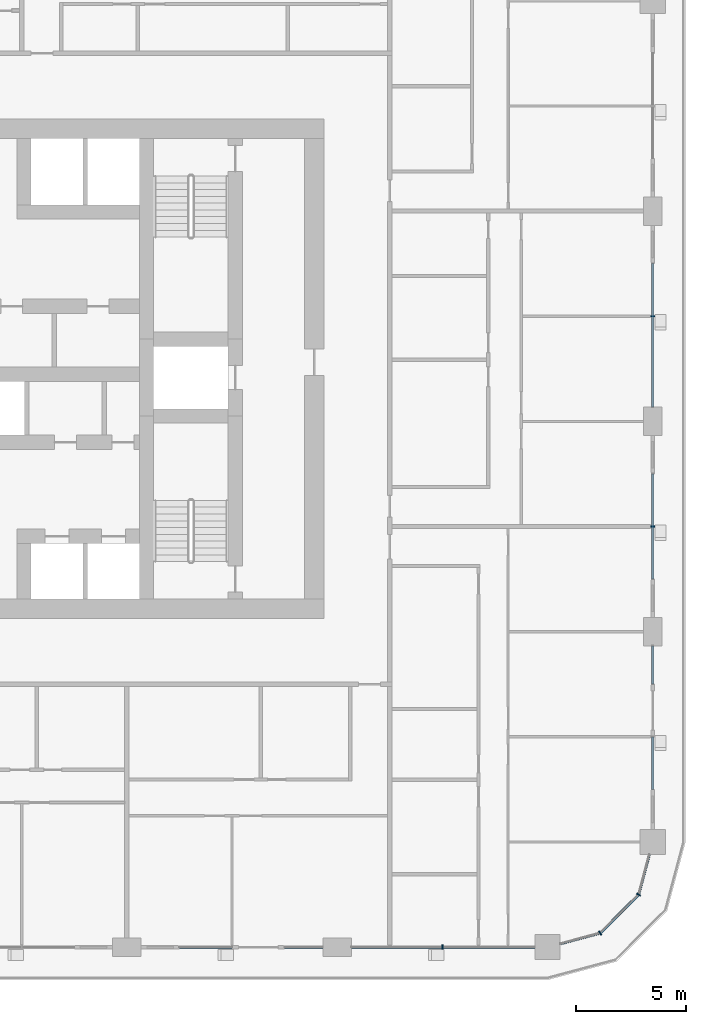
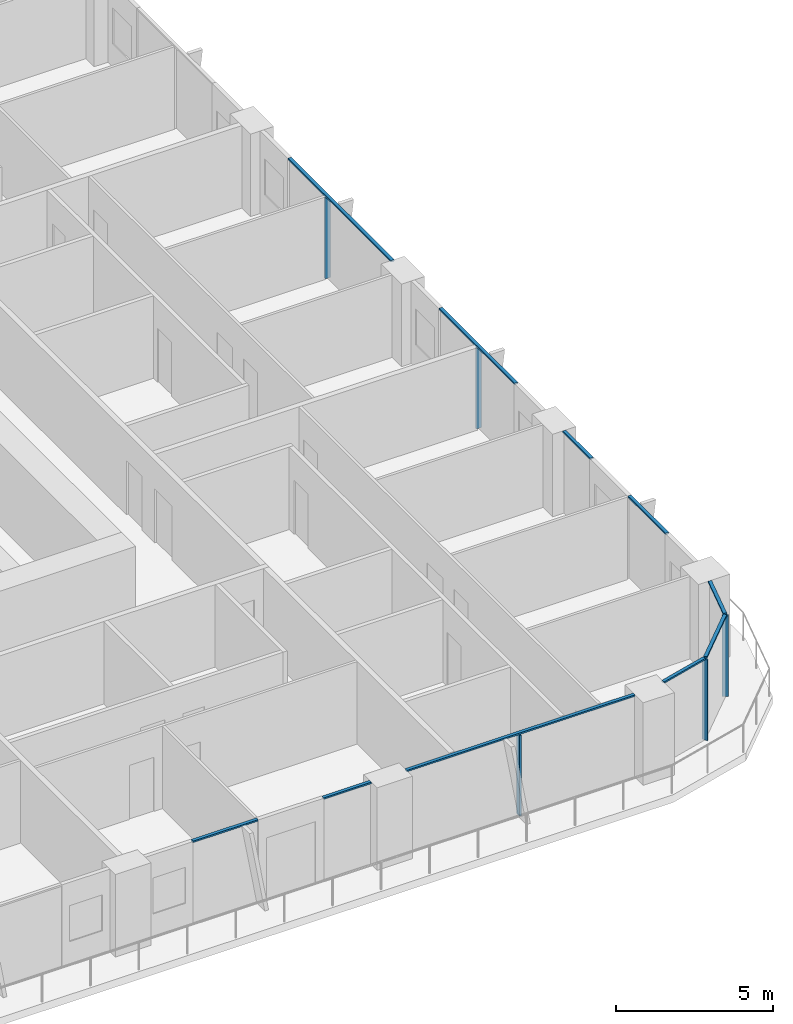
# One storey, part 4 of 22: 15 members, 6 elements without a shape of their own.
"""IFC4 building model written with IfcOpenShell, lengths in metres."""

from ifc_helpers import new_model, si_unit, direction, frame, origin, origin_2d, place, context, subcontext, project, spatial, rectangle, extrude, material, layer, layer_set, material_profile, profile_set, type_object, element, aggregate, save


model = new_model("IFC4")

# Units and contexts
model_context = context("Model", 3, precision=1e-05, world=origin(), true_north=direction((0.0, 1.0)))
body_context = subcontext(model_context, "Body", "Model", "MODEL_VIEW")
ifc_project = project(units=[si_unit("LENGTHUNIT", "METRE"), si_unit("AREAUNIT", "SQUARE_METRE"), si_unit("VOLUMEUNIT", "CUBIC_METRE"), si_unit("PLANEANGLEUNIT", "RADIAN"), si_unit("MASSUNIT", "GRAM", prefix="KILO")], contexts=[model_context])

# Site, building, storey
site_placement = place(None, origin())
site = spatial("IfcSite", under=ifc_project, at=site_placement, CompositionType="ELEMENT")
building_placement = place(site_placement, origin())
building = spatial("IfcBuilding", under=site, at=building_placement, Name="Madar Terraces", CompositionType="ELEMENT")
storey_placement = place(building_placement, frame((0.0, 0.0, 69.800048828125)))
storey = spatial("IfcBuildingStorey", under=building, at=storey_placement, Name="L17", CompositionType="ELEMENT", Elevation=69.800048828125)

# Curtain wall, member
ifc_material_1 = material(Name="Glass, ceramic frit dark grey, with black aluminium frame", Category="aluminium")
ifc_layer = layer(ifc_material_1, 0.199951171875)
ifc_layer_set = layer_set([ifc_layer], Name="Facade curtain wall, fritted glass")
curtain_wall_type = type_object("IfcCurtainWallType", Name="Facade curtain wall, fritted glass", PredefinedType="NOTDEFINED", material=ifc_layer_set)
curtain_wall_1_placement = place(storey_placement, origin())
curtain_wall_1 = element("IfcCurtainWall", 1, at=curtain_wall_1_placement, inside=storey, type_object=curtain_wall_type, Name="Outer skin curtain wall south bay 5", PredefinedType="NOTDEFINED")
ifc_material_2 = material(Name="Aluminium, black anodised", Category="aluminium")
ifc_material_profile_1 = material_profile(ifc_material_2, rectangle(XDim=0.199951171875, YDim=0.06005859375, at=origin_2d()), Name="Facade mullion 60x200")
ifc_profile_set_1 = profile_set([ifc_material_profile_1], Name="Aluminium, black anodised")
member_type_1 = type_object("IfcMemberType", Name="Facade mullion 60x200", PredefinedType="MULLION", material=ifc_profile_set_1)
member_1_placement = place(storey_placement, frame((52.800048828125, 0.0, 0.0), z_axis=(0.0, 0.0, 1.0), x_axis=(0.0, 1.0, 0.0)))
member_1 = element("IfcMember", 2, at=member_1_placement, type_object=member_type_1, Name="Mullion 1", PredefinedType="MULLION", context=body_context, shape_type="SweptSolid", body=[
    extrude(rectangle(XDim=0.199951171875, YDim=0.06005859375, at=origin_2d()), origin(), (0.0, 0.0, 1.0), 3.139892578125),
])

curtain_wall_2_placement = place(storey_placement, origin())
curtain_wall_2 = element("IfcCurtainWall", 3, at=curtain_wall_2_placement, inside=storey, type_object=curtain_wall_type, Name="Outer skin curtain wall east bay 2", PredefinedType="NOTDEFINED")
member_2_placement = place(storey_placement, frame((62.39990234375, 19.199951171875, 0.0), z_axis=(0.0, 0.0, 1.0), x_axis=(-1.0, 0.0, 0.0)))
member_2 = element("IfcMember", 4, at=member_2_placement, type_object=member_type_1, Name="Mullion 1", PredefinedType="MULLION", context=body_context, shape_type="SweptSolid", body=[
    extrude(rectangle(XDim=0.199951171875, YDim=0.06005859375, at=origin_2d()), origin(), (0.0, 0.0, 1.0), 3.139892578125),
])

curtain_wall_3_placement = place(storey_placement, origin())
curtain_wall_3 = element("IfcCurtainWall", 5, at=curtain_wall_3_placement, inside=storey, type_object=curtain_wall_type, Name="Outer skin curtain wall east bay 3", PredefinedType="NOTDEFINED")
member_3_placement = place(storey_placement, frame((62.39990234375, 28.800048828125, 0.0), z_axis=(0.0, 0.0, 1.0), x_axis=(-1.0, 0.0, 0.0)))
member_3 = element("IfcMember", 6, at=member_3_placement, type_object=member_type_1, Name="Mullion 1", PredefinedType="MULLION", context=body_context, shape_type="SweptSolid", body=[
    extrude(rectangle(XDim=0.199951171875, YDim=0.06005859375, at=origin_2d()), origin(), (0.0, 0.0, 1.0), 3.139892578125),
])

# Curtain wall, members
curtain_wall_4_placement = place(storey_placement, origin())
curtain_wall_4 = element("IfcCurtainWall", 7, at=curtain_wall_4_placement, inside=storey, type_object=curtain_wall_type, Name="Outer skin curtain wall south-east corner", PredefinedType="NOTDEFINED")
member_4_placement = place(storey_placement, frame((60.0, 0.64306640625, 0.0), z_axis=(0.0, 0.0, 1.0), x_axis=(-0.499999989586, 0.866025409797, 0.0)))
member_4 = element("IfcMember", 8, at=member_4_placement, type_object=member_type_1, Name="Mullion 1", PredefinedType="MULLION", context=body_context, shape_type="SweptSolid", body=[
    extrude(rectangle(XDim=0.199951171875, YDim=0.06005859375, at=origin_2d()), origin(), (0.0, 0.0, 1.0), 3.139892578125),
])
member_5_placement = place(storey_placement, frame((61.7568359375, 2.39990234375, 0.0), z_axis=(0.0, 0.0, 1.0), x_axis=(-0.866025409797, 0.499999989586, 0.0)))
member_5 = element("IfcMember", 9, at=member_5_placement, type_object=member_type_1, Name="Mullion 2", PredefinedType="MULLION", context=body_context, shape_type="SweptSolid", body=[
    extrude(rectangle(XDim=0.199951171875, YDim=0.06005859375, at=origin_2d()), origin(), (0.0, 0.0, 1.0), 3.139892578125),
])

curtain_wall_5_placement = place(storey_placement, origin())
curtain_wall_5 = element("IfcCurtainWall", 10, at=curtain_wall_5_placement, inside=storey, type_object=curtain_wall_type, Name="Outer skin curtain wall south bay 4", PredefinedType="NOTDEFINED")
ifc_material_3 = material(Name="Aluminium, black anodised", Category="aluminium")
ifc_material_profile_2 = material_profile(ifc_material_3, rectangle(XDim=0.1201171875, YDim=0.06005859375, at=origin_2d()), Name="Facade transom 60x120")
ifc_profile_set_2 = profile_set([ifc_material_profile_2], Name="Aluminium, black anodised")
member_type_2 = type_object("IfcMemberType", Name="Facade transom 60x120", PredefinedType="USERDEFINED", material=ifc_profile_set_2)
member_6_placement = place(storey_placement, frame((40.800048828125, 0.0, 3.169921875), z_axis=(1.0, 0.0, 0.0), x_axis=(0.0, 1.0, 0.0)))
member_6 = element("IfcMember", 11, at=member_6_placement, type_object=member_type_2, Name="Transom 1", ObjectType="TRANSOM", PredefinedType="USERDEFINED", context=body_context, shape_type="SweptSolid", body=[
    extrude(rectangle(XDim=0.1201171875, YDim=0.06005859375, at=origin_2d()), origin(), (0.0, 0.0, 1.0), 2.39990234375),
])
member_7_placement = place(storey_placement, frame((45.60009765625, 0.0, 3.169921875), z_axis=(1.0, 0.0, 0.0), x_axis=(0.0, 1.0, 0.0)))
member_7 = element("IfcMember", 12, at=member_7_placement, type_object=member_type_2, Name="Transom 2", ObjectType="TRANSOM", PredefinedType="USERDEFINED", context=body_context, shape_type="SweptSolid", body=[
    extrude(rectangle(XDim=0.1201171875, YDim=0.06005859375, at=origin_2d()), origin(), (0.0, 0.0, 1.0), 1.75),
])
aggregate(curtain_wall_5, [member_6, member_7])

# Member
member_8_placement = place(storey_placement, frame((48.64990234375, 0.0, 3.169921875), z_axis=(1.0, 0.0, 0.0), x_axis=(0.0, 1.0, 0.0)))
member_8 = element("IfcMember", 13, at=member_8_placement, type_object=member_type_2, Name="Transom 1", ObjectType="TRANSOM", PredefinedType="USERDEFINED", context=body_context, shape_type="SweptSolid", body=[
    extrude(rectangle(XDim=0.1201171875, YDim=0.06005859375, at=origin_2d()), origin(), (0.0, 0.0, 1.0), 8.375),
])

aggregate(curtain_wall_1, [member_1, member_8])

# Curtain wall, members
curtain_wall_6_placement = place(storey_placement, origin())
curtain_wall_6 = element("IfcCurtainWall", 14, at=curtain_wall_6_placement, inside=storey, type_object=curtain_wall_type, Name="Outer skin curtain wall east bay 1", PredefinedType="NOTDEFINED")
member_9_placement = place(storey_placement, frame((62.39990234375, 7.199951171875, 3.169921875), z_axis=(0.0, 1.0, 0.0), x_axis=(-1.0, 0.0, 0.0)))
member_9 = element("IfcMember", 15, at=member_9_placement, type_object=member_type_2, Name="Transom 1", ObjectType="TRANSOM", PredefinedType="USERDEFINED", context=body_context, shape_type="SweptSolid", body=[
    extrude(rectangle(XDim=0.1201171875, YDim=0.06005859375, at=origin_2d()), origin(), (0.0, 0.0, 1.0), 2.400146484375),
])
member_10_placement = place(storey_placement, frame((62.39990234375, 12.0, 3.169921875), z_axis=(0.0, 1.0, 0.0), x_axis=(-1.0, 0.0, 0.0)))
member_10 = element("IfcMember", 16, at=member_10_placement, type_object=member_type_2, Name="Transom 2", ObjectType="TRANSOM", PredefinedType="USERDEFINED", context=body_context, shape_type="SweptSolid", body=[
    extrude(rectangle(XDim=0.1201171875, YDim=0.06005859375, at=origin_2d()), origin(), (0.0, 0.0, 1.0), 1.75),
])
aggregate(curtain_wall_6, [member_9, member_10])

# Member
member_11_placement = place(storey_placement, frame((62.39990234375, 16.800048828125, 3.169921875), z_axis=(0.0, 1.0, 0.0), x_axis=(-1.0, 0.0, 0.0)))
member_11 = element("IfcMember", 17, at=member_11_placement, type_object=member_type_2, Name="Transom 1", ObjectType="TRANSOM", PredefinedType="USERDEFINED", context=body_context, shape_type="SweptSolid", body=[
    extrude(rectangle(XDim=0.1201171875, YDim=0.06005859375, at=origin_2d()), origin(), (0.0, 0.0, 1.0), 4.800048828125),
])

aggregate(curtain_wall_2, [member_2, member_11])

member_12_placement = place(storey_placement, frame((62.39990234375, 24.64990234375, 3.169921875), z_axis=(0.0, 1.0, 0.0), x_axis=(-1.0, 0.0, 0.0)))
member_12 = element("IfcMember", 18, at=member_12_placement, type_object=member_type_2, Name="Transom 1", ObjectType="TRANSOM", PredefinedType="USERDEFINED", context=body_context, shape_type="SweptSolid", body=[
    extrude(rectangle(XDim=0.1201171875, YDim=0.06005859375, at=origin_2d()), origin(), (0.0, 0.0, 1.0), 6.550048828125),
])

aggregate(curtain_wall_3, [member_3, member_12])

member_13_placement = place(storey_placement, frame((58.175048828125, 0.154052734375, 3.169921875), z_axis=(0.965926950947, 0.258814847786, 0.0), x_axis=(-0.258814847786, 0.965926950947, 0.0)))
member_13 = element("IfcMember", 19, at=member_13_placement, type_object=member_type_2, Name="Transom 1", ObjectType="TRANSOM", PredefinedType="USERDEFINED", context=body_context, shape_type="SweptSolid", body=[
    extrude(rectangle(XDim=0.1201171875, YDim=0.06005859375, at=origin_2d()), origin(), (0.0, 0.0, 1.0), 1.859130859375),
])

member_14_placement = place(storey_placement, frame((60.021240234375, 0.664306640625, 3.169921875), z_axis=(0.707056433593, 0.707157125196, 0.0), x_axis=(-0.707157125196, 0.707056433593, 0.0)))
member_14 = element("IfcMember", 20, at=member_14_placement, type_object=member_type_2, Name="Transom 2", ObjectType="TRANSOM", PredefinedType="USERDEFINED", context=body_context, shape_type="SweptSolid", body=[
    extrude(rectangle(XDim=0.1201171875, YDim=0.06005859375, at=origin_2d()), origin(), (0.0, 0.0, 1.0), 2.424560546875),
])

member_15_placement = place(storey_placement, frame((61.7646484375, 2.428955078125, 3.169921875), z_axis=(0.258782024434, 0.965935745187, 0.0), x_axis=(-0.965935745187, 0.258782024434, 0.0)))
member_15 = element("IfcMember", 21, at=member_15_placement, type_object=member_type_2, Name="Transom 3", ObjectType="TRANSOM", PredefinedType="USERDEFINED", context=body_context, shape_type="SweptSolid", body=[
    extrude(rectangle(XDim=0.1201171875, YDim=0.06005859375, at=origin_2d()), origin(), (0.0, 0.0, 1.0), 1.859375),
])

aggregate(curtain_wall_4, [member_4, member_13, member_5, member_14, member_15])

save(model, "model.ifc")
